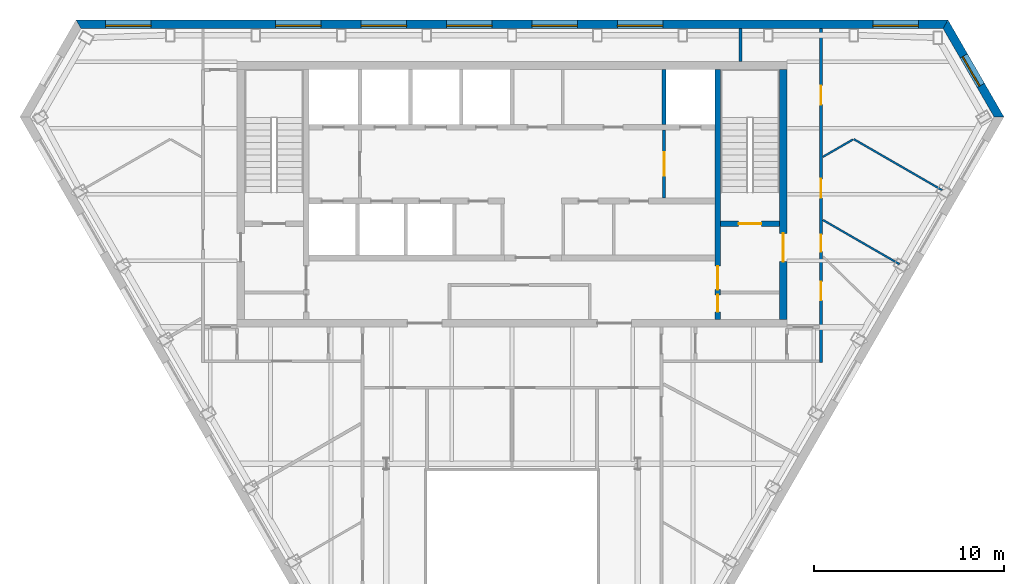
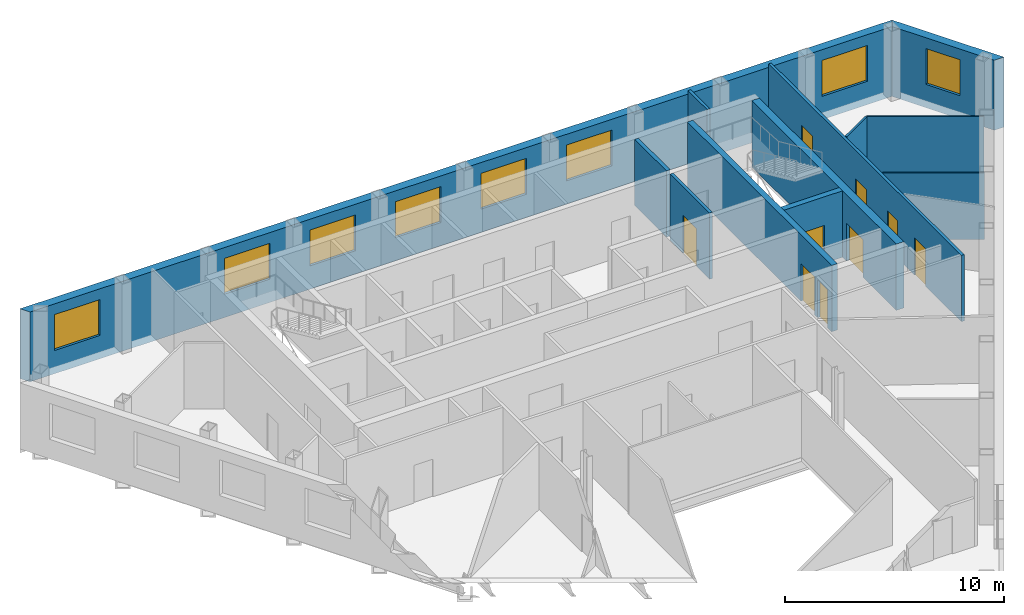
# One storey, part 7 of 10: 12 walls, 9 doors, 8 windows, 17 openings.
"""IFC4 building model written with IfcOpenShell, lengths in metres."""

from ifc_helpers import new_model, si_unit, direction, frame, frame_2d, origin, place, context, subcontext, project, spatial, polyline, rectangle, outline, extrude, material, layer, layer_set, type_object, element, fill, save


model = new_model("IFC4")

# Units and contexts
model_context = context("Model", 3, precision=1e-05, world=origin(), true_north=direction((0.0, 1.0)))
body_context = subcontext(model_context, "Body", "Model", "MODEL_VIEW")
ifc_project = project(units=[si_unit("LENGTHUNIT", "METRE"), si_unit("AREAUNIT", "SQUARE_METRE"), si_unit("VOLUMEUNIT", "CUBIC_METRE"), si_unit("PLANEANGLEUNIT", "RADIAN"), si_unit("MASSUNIT", "GRAM", prefix="KILO")], contexts=[model_context])

# Site, building, storey
site_placement = place(None, origin())
site = spatial("IfcSite", under=ifc_project, at=site_placement, CompositionType="ELEMENT")
building_placement = place(site_placement, origin())
building = spatial("IfcBuilding", under=site, at=building_placement, Name="Njiva Tower", CompositionType="ELEMENT")
storey_placement = place(building_placement, frame((0.0, 0.0, 257.1)))
storey = spatial("IfcBuildingStorey", under=building, at=storey_placement, Name="L58", CompositionType="ELEMENT", Elevation=257.1)

# Wall, openings, doors
ifc_material_1 = material(Name="Concrete C40/50", Category="concrete")
ifc_layer_1 = layer(ifc_material_1, 0.3)
ifc_layer_set_1 = layer_set([ifc_layer_1], Name="Concrete C40/50")
wall_type_1 = type_object("IfcWallType", Name="WT10 Stair enclosure wall 300", PredefinedType="SHEAR", material=ifc_layer_set_1)
wall_1_placement = place(storey_placement, frame((10.85, 4.4, 0.0), z_axis=(0.0, 0.0, 1.0), x_axis=(0.0, 1.0, 0.0)))
wall_1 = element("IfcWall", 1, at=wall_1_placement, inside=storey, type_object=wall_type_1, Name="Stair wall east inner", PredefinedType="SHEAR", context=body_context, shape_type="SweptSolid", body=[
    extrude(rectangle(XDim=13.2, YDim=0.3, at=frame_2d((6.6, 0.0))), origin(), (0.0, 0.0, 1.0), 3.7),
])
opening_1_placement = place(wall_1_placement, frame((1.575, 0.0, 0.0)))
opening_1 = element("IfcOpeningElement", 2, at=opening_1_placement, cuts=wall_1, Name="Opening S19-D921", PredefinedType="OPENING", context=body_context, shape_type="SweptSolid", body=[
    extrude(rectangle(XDim=1.25, YDim=2.1, at=frame_2d((0.625, 1.05))), frame((0.0, 0.16, 0.0), z_axis=(0.0, -1.0, 0.0), x_axis=(1.0, 0.0, 0.0)), (0.0, 0.0, 1.0), 0.32),
])
opening_2_placement = place(wall_1_placement, frame((0.4, 0.0, 0.0)))
opening_2 = element("IfcOpeningElement", 3, at=opening_2_placement, cuts=wall_1, Name="Opening S19-D923", PredefinedType="OPENING", context=body_context, shape_type="SweptSolid", body=[
    extrude(rectangle(XDim=0.9, YDim=2.1, at=frame_2d((0.45, 1.05))), frame((0.0, 0.16, 0.0), z_axis=(0.0, -1.0, 0.0), x_axis=(1.0, 0.0, 0.0)), (0.0, 0.0, 1.0), 0.32),
])
ifc_material_2 = material(Name="Steel door, painted", Category="steel")
door_type_1 = type_object("IfcDoorType", Name="D13 Steel door 900x2100", OperationType="SINGLE_SWING_LEFT", PredefinedType="DOOR", material=ifc_material_2)
door_1_placement = place(opening_2_placement, origin())
door_1 = element("IfcDoor", 4, at=door_1_placement, inside=storey, type_object=door_type_1, Name="Business centre door", OperationType="SINGLE_SWING_LEFT", OverallHeight=2.1, OverallWidth=0.9, PredefinedType="DOOR", context=body_context, shape_type="SweptSolid", body=[
    extrude(rectangle(XDim=0.9, YDim=2.1, at=frame_2d((0.45, 1.05))), frame((0.0, 0.025, 0.0), z_axis=(0.0, -1.0, 0.0), x_axis=(1.0, 0.0, 0.0)), (0.0, 0.0, 1.0), 0.05),
])
fill(opening_2, door_1)
ifc_material_3 = material(Name="Glazed steel fire door", Category="steel")
door_type_2 = type_object("IfcDoorType", Name="D8 Vestibule corridor door 1250x2100 glazed", OperationType="SINGLE_SWING_LEFT", PredefinedType="DOOR", material=ifc_material_3)
door_2_placement = place(opening_1_placement, origin())
door_2 = element("IfcDoor", 5, at=door_2_placement, inside=storey, type_object=door_type_2, Name="Stair vestibule corridor door", OperationType="SINGLE_SWING_RIGHT", OverallHeight=2.1, OverallWidth=1.25, PredefinedType="DOOR", context=body_context, shape_type="SweptSolid", body=[
    extrude(rectangle(XDim=1.25, YDim=2.1, at=frame_2d((0.625, 1.05))), frame((0.0, 0.025, 0.0), z_axis=(0.0, -1.0, 0.0), x_axis=(1.0, 0.0, 0.0)), (0.0, 0.0, 1.0), 0.05),
])
fill(opening_1, door_2)

# Wall, opening, door
wall_2_placement = place(storey_placement, frame((11.0, 9.45, 0.0), z_axis=(0.0, 0.0, 1.0), x_axis=(1.0, 0.0, 0.0)))
wall_2 = element("IfcWall", 6, at=wall_2_placement, inside=storey, type_object=wall_type_1, Name="Stair B south wall", PredefinedType="SHEAR", context=body_context, shape_type="SweptSolid", body=[
    extrude(rectangle(XDim=3.1, YDim=0.3, at=frame_2d((1.55, 0.0))), origin(), (0.0, 0.0, 1.0), 3.7),
])
opening_3_placement = place(wall_2_placement, frame((0.95, 0.0, 0.0)))
opening_3 = element("IfcOpeningElement", 7, at=opening_3_placement, cuts=wall_2, Name="Opening S19-D920", PredefinedType="OPENING", context=body_context, shape_type="SweptSolid", body=[
    extrude(rectangle(XDim=1.2, YDim=2.1, at=frame_2d((0.6, 1.05))), frame((0.0, 0.16, 0.0), z_axis=(0.0, -1.0, 0.0), x_axis=(1.0, 0.0, 0.0)), (0.0, 0.0, 1.0), 0.32),
])
door_type_3 = type_object("IfcDoorType", Name="D7 Stair vestibule door 1200x2100 glazed", OperationType="SINGLE_SWING_LEFT", PredefinedType="DOOR", material=ifc_material_3)
door_3_placement = place(opening_3_placement, origin())
door_3 = element("IfcDoor", 8, at=door_3_placement, inside=storey, type_object=door_type_3, Name="Stair B door", OperationType="SINGLE_SWING_LEFT", OverallHeight=2.1, OverallWidth=1.2, PredefinedType="DOOR", context=body_context, shape_type="SweptSolid", body=[
    extrude(rectangle(XDim=1.2, YDim=2.1, at=frame_2d((0.6, 1.05))), frame((0.0, 0.025, 0.0), z_axis=(0.0, -1.0, 0.0), x_axis=(1.0, 0.0, 0.0)), (0.0, 0.0, 1.0), 0.05),
])
fill(opening_3, door_3)

ifc_material_4 = material(Name="Concrete C60/75", Category="concrete")
ifc_layer_2 = layer(ifc_material_4, 0.4)
ifc_layer_set_2 = layer_set([ifc_layer_2], Name="Concrete C60/75")
wall_type_2 = type_object("IfcWallType", Name="WT11 Core wall 400", PredefinedType="SHEAR", material=ifc_layer_set_2)
wall_3_placement = place(storey_placement, frame((14.3, 4.4, 0.0), z_axis=(0.0, 0.0, 1.0), x_axis=(0.0, 1.0, 0.0)))
wall_3 = element("IfcWall", 9, at=wall_3_placement, inside=storey, type_object=wall_type_2, Name="Core wall east", PredefinedType="SHEAR", context=body_context, shape_type="SweptSolid", body=[
    extrude(rectangle(XDim=13.2, YDim=0.4, at=frame_2d((6.6, 0.0))), origin(), (0.0, 0.0, 1.0), 3.7),
])
opening_4_placement = place(wall_3_placement, frame((3.05, 0.0, 0.0)))
opening_4 = element("IfcOpeningElement", 10, at=opening_4_placement, cuts=wall_3, Name="Opening S19-D922", PredefinedType="OPENING", context=body_context, shape_type="SweptSolid", body=[
    extrude(rectangle(XDim=1.5, YDim=2.1, at=frame_2d((0.75, 1.05))), frame((0.0, 0.21, 0.0), z_axis=(0.0, -1.0, 0.0), x_axis=(1.0, 0.0, 0.0)), (0.0, 0.0, 1.0), 0.42),
])
door_type_4 = type_object("IfcDoorType", Name="D10 Exit door double 1500x2100 glazed", OperationType="DOUBLE_DOOR_SINGLE_SWING", PredefinedType="DOOR", material=ifc_material_3)
door_4_placement = place(opening_4_placement, origin())
door_4 = element("IfcDoor", 11, at=door_4_placement, inside=storey, type_object=door_type_4, Name="Stair B corridor door", OperationType="DOUBLE_DOOR_SINGLE_SWING", OverallHeight=2.1, OverallWidth=1.5, PredefinedType="DOOR", context=body_context, shape_type="SweptSolid", body=[
    extrude(rectangle(XDim=1.5, YDim=2.1, at=frame_2d((0.75, 1.05))), frame((0.0, 0.025, 0.0), z_axis=(0.0, -1.0, 0.0), x_axis=(1.0, 0.0, 0.0)), (0.0, 0.0, 1.0), 0.05),
])
fill(opening_4, door_4)

ifc_material_5 = material(Name="Blockwork", Category="masonry")
ifc_layer_3 = layer(ifc_material_5, 0.15)
ifc_layer_set_3 = layer_set([ifc_layer_3], Name="Blockwork")
wall_type_3 = type_object("IfcWallType", Name="WT2 Lobby partition 150", PredefinedType="PARTITIONING", material=ifc_layer_set_3)
wall_4_placement = place(storey_placement, frame((8.025, 10.8, 0.0), z_axis=(0.0, 0.0, 1.0), x_axis=(0.0, 1.0, 0.0)))
wall_4 = element("IfcWall", 12, at=wall_4_placement, inside=storey, type_object=wall_type_3, Name="Firefighting lobby wall B", PredefinedType="PARTITIONING", context=body_context, shape_type="SweptSolid", body=[
    extrude(rectangle(XDim=3.6, YDim=0.15, at=frame_2d((1.8, 0.0))), origin(), (0.0, 0.0, 1.0), 3.7),
])
opening_5_placement = place(wall_4_placement, frame((1.175, 0.0, 0.0)))
opening_5 = element("IfcOpeningElement", 13, at=opening_5_placement, cuts=wall_4, Name="Opening S19-D919", PredefinedType="OPENING", context=body_context, shape_type="SweptSolid", body=[
    extrude(rectangle(XDim=1.25, YDim=2.1, at=frame_2d((0.625, 1.05))), frame((0.0, 0.085, 0.0), z_axis=(0.0, -1.0, 0.0), x_axis=(1.0, 0.0, 0.0)), (0.0, 0.0, 1.0), 0.17),
])
door_5_placement = place(opening_5_placement, origin())
door_5 = element("IfcDoor", 14, at=door_5_placement, inside=storey, type_object=door_type_2, Name="Stair vestibule corridor door", OperationType="SINGLE_SWING_LEFT", OverallHeight=2.1, OverallWidth=1.25, PredefinedType="DOOR", context=body_context, shape_type="SweptSolid", body=[
    extrude(rectangle(XDim=1.25, YDim=2.1, at=frame_2d((0.625, 1.05))), frame((0.0, 0.025, 0.0), z_axis=(0.0, -1.0, 0.0), x_axis=(1.0, 0.0, 0.0)), (0.0, 0.0, 1.0), 0.05),
])
fill(opening_5, door_5)

# Walls
ifc_material_6 = material(Name="Gypsum board on steel studs", Category="gypsum")
ifc_layer_4 = layer(ifc_material_6, 0.1)
ifc_layer_set_4 = layer_set([ifc_layer_4], Name="Gypsum board on steel studs")
wall_type_4 = type_object("IfcWallType", Name="WT20 Gypsum partition 100", PredefinedType="PARTITIONING", material=ifc_layer_set_4)
wall_5_placement = place(storey_placement, frame((16.4, 12.982, 0.0), z_axis=(0.0, 0.0, 1.0), x_axis=(0.866221908719, 0.499659488908, 0.0)))
element("IfcWall", 15, at=wall_5_placement, inside=storey, type_object=wall_type_4, Name="Partition S19-P031", PredefinedType="PARTITIONING", context=body_context, shape_type="SweptSolid", body=[
    extrude(rectangle(XDim=1.8332, YDim=0.1, at=frame_2d((0.9166, 0.0))), origin(), (0.0, 0.0, 1.0), 3.7),
])
wall_6_placement = place(storey_placement, frame((16.4, 9.654, 0.0), z_axis=(0.0, 0.0, 1.0), x_axis=(0.86606758311, -0.499926936147, 0.0)))
element("IfcWall", 16, at=wall_6_placement, inside=storey, type_object=wall_type_4, Name="Partition S19-P032", PredefinedType="PARTITIONING", context=body_context, shape_type="SweptSolid", body=[
    extrude(rectangle(XDim=4.6567, YDim=0.1, at=frame_2d((2.3284, 0.0))), origin(), (0.0, 0.0, 1.0), 3.7),
])
wall_7_placement = place(storey_placement, frame((18.026, 13.919, 0.0), z_axis=(0.0, 0.0, 1.0), x_axis=(0.866061796884, -0.499936960004, 0.0)))
element("IfcWall", 17, at=wall_7_placement, inside=storey, type_object=wall_type_4, Name="Partition S19-P034", PredefinedType="PARTITIONING", context=body_context, shape_type="SweptSolid", body=[
    extrude(rectangle(XDim=5.3807, YDim=0.1, at=frame_2d((2.6904, 0.0))), origin(), (0.0, 0.0, 1.0), 3.7),
])
ifc_layer_5 = layer(ifc_material_6, 0.15)
ifc_layer_set_5 = layer_set([ifc_layer_5], Name="Gypsum board on steel studs")
wall_type_5 = type_object("IfcWallType", Name="WT21 Compartment wall 150", PredefinedType="PARTITIONING", material=ifc_layer_set_5)
wall_8_placement = place(storey_placement, frame((12.05, 18.0, 0.0), z_axis=(0.0, 0.0, 1.0), x_axis=(0.0, 1.0, 0.0)))
element("IfcWall", 18, at=wall_8_placement, inside=storey, type_object=wall_type_5, Name="Partition S19-P027", PredefinedType="PARTITIONING", context=body_context, shape_type="SweptSolid", body=[
    extrude(rectangle(XDim=1.75, YDim=0.15, at=frame_2d((0.875, 0.0))), origin(), (0.0, 0.0, 1.0), 3.7),
])

# Wall, openings, doors
wall_9_placement = place(storey_placement, frame((16.3, 2.125, 0.0), z_axis=(0.0, 0.0, 1.0), x_axis=(0.0, 1.0, 0.0)))
wall_9 = element("IfcWall", 19, at=wall_9_placement, inside=storey, type_object=wall_type_5, Name="Partition S19-P030", PredefinedType="PARTITIONING", context=body_context, shape_type="SweptSolid", body=[
    extrude(rectangle(XDim=17.622, YDim=0.15, at=frame_2d((8.811, 0.0))), origin(), (0.0, 0.0, 1.0), 3.7),
])
opening_6_placement = place(wall_9_placement, frame((3.281, 0.0, 0.0)))
opening_6 = element("IfcOpeningElement", 20, at=opening_6_placement, cuts=wall_9, Name="Opening S19-D022", PredefinedType="OPENING", context=body_context, shape_type="SweptSolid", body=[
    extrude(rectangle(XDim=1.0, YDim=2.1, at=frame_2d((0.5, 1.05))), frame((0.0, 0.085, 0.0), z_axis=(0.0, -1.0, 0.0), x_axis=(1.0, 0.0, 0.0)), (0.0, 0.0, 1.0), 0.17),
])
opening_7_placement = place(wall_9_placement, frame((5.853, 0.0, 0.0)))
opening_7 = element("IfcOpeningElement", 21, at=opening_7_placement, cuts=wall_9, Name="Opening S19-D023", PredefinedType="OPENING", context=body_context, shape_type="SweptSolid", body=[
    extrude(rectangle(XDim=0.9, YDim=2.1, at=frame_2d((0.45, 1.05))), frame((0.0, 0.085, 0.0), z_axis=(0.0, -1.0, 0.0), x_axis=(1.0, 0.0, 0.0)), (0.0, 0.0, 1.0), 0.17),
])
opening_8_placement = place(wall_9_placement, frame((8.692, 0.0, 0.0)))
opening_8 = element("IfcOpeningElement", 22, at=opening_8_placement, cuts=wall_9, Name="Opening S19-D024", PredefinedType="OPENING", context=body_context, shape_type="SweptSolid", body=[
    extrude(rectangle(XDim=1.0, YDim=2.1, at=frame_2d((0.5, 1.05))), frame((0.0, 0.085, 0.0), z_axis=(0.0, -1.0, 0.0), x_axis=(1.0, 0.0, 0.0)), (0.0, 0.0, 1.0), 0.17),
])
opening_9_placement = place(wall_9_placement, frame((13.611, 0.0, 0.0)))
opening_9 = element("IfcOpeningElement", 23, at=opening_9_placement, cuts=wall_9, Name="Opening S19-D025", PredefinedType="OPENING", context=body_context, shape_type="SweptSolid", body=[
    extrude(rectangle(XDim=1.0, YDim=2.1, at=frame_2d((0.5, 1.05))), frame((0.0, 0.085, 0.0), z_axis=(0.0, -1.0, 0.0), x_axis=(1.0, 0.0, 0.0)), (0.0, 0.0, 1.0), 0.17),
])
ifc_material_7 = material(Name="Steel fire door set", Category="steel")
door_type_5 = type_object("IfcDoorType", Name="D36 Fire door 900x2100", OperationType="SINGLE_SWING_LEFT", PredefinedType="DOOR", material=ifc_material_7)
door_6_placement = place(opening_7_placement, origin())
door_6 = element("IfcDoor", 24, at=door_6_placement, inside=storey, type_object=door_type_5, Name="Door S19-D023", OperationType="SINGLE_SWING_LEFT", OverallHeight=2.1, OverallWidth=0.9, PredefinedType="DOOR", context=body_context, shape_type="SweptSolid", body=[
    extrude(rectangle(XDim=0.9, YDim=2.1, at=frame_2d((0.45, 1.05))), frame((0.0, 0.025, 0.0), z_axis=(0.0, -1.0, 0.0), x_axis=(1.0, 0.0, 0.0)), (0.0, 0.0, 1.0), 0.05),
])
fill(opening_7, door_6)
door_type_6 = type_object("IfcDoorType", Name="D37 Fire door 1000x2100", OperationType="SINGLE_SWING_LEFT", PredefinedType="DOOR", material=ifc_material_7)
door_7_placement = place(opening_6_placement, origin())
door_7 = element("IfcDoor", 25, at=door_7_placement, inside=storey, type_object=door_type_6, Name="Door S19-D022", OperationType="SINGLE_SWING_LEFT", OverallHeight=2.1, OverallWidth=1.0, PredefinedType="DOOR", context=body_context, shape_type="SweptSolid", body=[
    extrude(rectangle(XDim=1.0, YDim=2.1, at=frame_2d((0.5, 1.05))), frame((0.0, 0.025, 0.0), z_axis=(0.0, -1.0, 0.0), x_axis=(1.0, 0.0, 0.0)), (0.0, 0.0, 1.0), 0.05),
])
fill(opening_6, door_7)
door_8_placement = place(opening_8_placement, origin())
door_8 = element("IfcDoor", 26, at=door_8_placement, inside=storey, type_object=door_type_6, Name="Door S19-D024", OperationType="SINGLE_SWING_RIGHT", OverallHeight=2.1, OverallWidth=1.0, PredefinedType="DOOR", context=body_context, shape_type="SweptSolid", body=[
    extrude(rectangle(XDim=1.0, YDim=2.1, at=frame_2d((0.5, 1.05))), frame((0.0, 0.025, 0.0), z_axis=(0.0, -1.0, 0.0), x_axis=(1.0, 0.0, 0.0)), (0.0, 0.0, 1.0), 0.05),
])
fill(opening_8, door_8)
door_9_placement = place(opening_9_placement, origin())
door_9 = element("IfcDoor", 27, at=door_9_placement, inside=storey, type_object=door_type_6, Name="Door S19-D025", OperationType="SINGLE_SWING_RIGHT", OverallHeight=2.1, OverallWidth=1.0, PredefinedType="DOOR", context=body_context, shape_type="SweptSolid", body=[
    extrude(rectangle(XDim=1.0, YDim=2.1, at=frame_2d((0.5, 1.05))), frame((0.0, 0.025, 0.0), z_axis=(0.0, -1.0, 0.0), x_axis=(1.0, 0.0, 0.0)), (0.0, 0.0, 1.0), 0.05),
])
fill(opening_9, door_9)

# Wall
ifc_layer_6 = layer(ifc_material_1, 0.2)
ifc_layer_set_6 = layer_set([ifc_layer_6], Name="Concrete C40/50")
wall_type_6 = type_object("IfcWallType", Name="WT6 Lift shaft wall 200", PredefinedType="SHEAR", material=ifc_layer_set_6)
wall_10_placement = place(storey_placement, frame((8.025, 14.7, 0.0), z_axis=(0.0, 0.0, 1.0), x_axis=(0.0, 1.0, 0.0)))
element("IfcWall", 28, at=wall_10_placement, inside=storey, type_object=wall_type_6, Name="Shaft wall CN7", PredefinedType="SHEAR", context=body_context, shape_type="SweptSolid", body=[
    extrude(rectangle(XDim=2.9, YDim=0.2, at=frame_2d((1.45, 0.0))), origin(), (0.0, 0.0, 1.0), 3.7),
])

# Wall, openings, windows
ifc_material_8 = material(Name="Brick masonry", Category="masonry")
ifc_layer_7 = layer(ifc_material_8, 0.45)
ifc_layer_set_7 = layer_set([ifc_layer_7], Name="Brick masonry")
wall_type_7 = type_object("IfcWallType", Name="WT90 Brick pier and spandrel wall 450", PredefinedType="SOLIDWALL", material=ifc_layer_set_7)
wall_11_placement = place(storey_placement, frame((22.8651, 19.975, -0.4), z_axis=(0.0, 0.0, 1.0), x_axis=(-1.0, 0.0, 0.0)))
wall_11 = element("IfcWall", 29, at=wall_11_placement, inside=storey, type_object=wall_type_7, Name="Facade wall N", PredefinedType="SOLIDWALL", context=body_context, shape_type="SweptSolid", body=[
    extrude(outline(polyline([(-0.1299, -0.225), (45.8601, -0.225), (45.6003, 0.225), (0.1299, 0.225), (-0.1299, -0.225)])), origin(), (0.0, 0.0, 1.0), 3.9),
])
opening_10_placement = place(wall_11_placement, frame((1.4237, 0.0, 1.3)))
opening_10 = element("IfcOpeningElement", 30, at=opening_10_placement, cuts=wall_11, Name="Opening S19-W01", PredefinedType="OPENING", context=body_context, shape_type="SweptSolid", body=[
    extrude(rectangle(XDim=2.4, YDim=2.0, at=frame_2d((1.2, 1.0))), frame((0.0, 0.235, 0.0), z_axis=(0.0, -1.0, 0.0), x_axis=(1.0, 0.0, 0.0)), (0.0, 0.0, 1.0), 0.47),
])
opening_11_placement = place(wall_11_placement, frame((14.9052, 0.0, 1.3)))
opening_11 = element("IfcOpeningElement", 31, at=opening_11_placement, cuts=wall_11, Name="Opening S19-W02", PredefinedType="OPENING", context=body_context, shape_type="SweptSolid", body=[
    extrude(rectangle(XDim=2.4, YDim=2.0, at=frame_2d((1.2, 1.0))), frame((0.0, 0.235, 0.0), z_axis=(0.0, -1.0, 0.0), x_axis=(1.0, 0.0, 0.0)), (0.0, 0.0, 1.0), 0.47),
])
opening_12_placement = place(wall_11_placement, frame((19.4118, 0.0, 1.3)))
opening_12 = element("IfcOpeningElement", 32, at=opening_12_placement, cuts=wall_11, Name="Opening S19-W03", PredefinedType="OPENING", context=body_context, shape_type="SweptSolid", body=[
    extrude(rectangle(XDim=2.4, YDim=2.0, at=frame_2d((1.2, 1.0))), frame((0.0, 0.235, 0.0), z_axis=(0.0, -1.0, 0.0), x_axis=(1.0, 0.0, 0.0)), (0.0, 0.0, 1.0), 0.47),
])
opening_13_placement = place(wall_11_placement, frame((23.9184, 0.0, 1.3)))
opening_13 = element("IfcOpeningElement", 33, at=opening_13_placement, cuts=wall_11, Name="Opening S19-W04", PredefinedType="OPENING", context=body_context, shape_type="SweptSolid", body=[
    extrude(rectangle(XDim=2.4, YDim=2.0, at=frame_2d((1.2, 1.0))), frame((0.0, 0.235, 0.0), z_axis=(0.0, -1.0, 0.0), x_axis=(1.0, 0.0, 0.0)), (0.0, 0.0, 1.0), 0.47),
])
opening_14_placement = place(wall_11_placement, frame((28.425, 0.0, 1.3)))
opening_14 = element("IfcOpeningElement", 34, at=opening_14_placement, cuts=wall_11, Name="Opening S19-W05", PredefinedType="OPENING", context=body_context, shape_type="SweptSolid", body=[
    extrude(rectangle(XDim=2.4, YDim=2.0, at=frame_2d((1.2, 1.0))), frame((0.0, 0.235, 0.0), z_axis=(0.0, -1.0, 0.0), x_axis=(1.0, 0.0, 0.0)), (0.0, 0.0, 1.0), 0.47),
])
opening_15_placement = place(wall_11_placement, frame((32.9316, 0.0, 1.3)))
opening_15 = element("IfcOpeningElement", 35, at=opening_15_placement, cuts=wall_11, Name="Opening S19-W06", PredefinedType="OPENING", context=body_context, shape_type="SweptSolid", body=[
    extrude(rectangle(XDim=2.4, YDim=2.0, at=frame_2d((1.2, 1.0))), frame((0.0, 0.235, 0.0), z_axis=(0.0, -1.0, 0.0), x_axis=(1.0, 0.0, 0.0)), (0.0, 0.0, 1.0), 0.47),
])
opening_16_placement = place(wall_11_placement, frame((41.9065, 0.0, 1.3)))
opening_16 = element("IfcOpeningElement", 36, at=opening_16_placement, cuts=wall_11, Name="Opening S19-W07", PredefinedType="OPENING", context=body_context, shape_type="SweptSolid", body=[
    extrude(rectangle(XDim=2.4, YDim=2.0, at=frame_2d((1.2, 1.0))), frame((0.0, 0.235, 0.0), z_axis=(0.0, -1.0, 0.0), x_axis=(1.0, 0.0, 0.0)), (0.0, 0.0, 1.0), 0.47),
])
ifc_material_9 = material(Name="Clear glazing in aluminium frame", Category="aluminium")
window_type_1 = type_object("IfcWindowType", Name="W90 Deep-set window 2400x2000", PartitioningType="SINGLE_PANEL", PredefinedType="WINDOW", material=ifc_material_9)
window_1_placement = place(opening_10_placement, origin())
window_1 = element("IfcWindow", 37, at=window_1_placement, inside=storey, type_object=window_type_1, Name="Window", OverallHeight=2.0, OverallWidth=2.4, PartitioningType="SINGLE_PANEL", PredefinedType="WINDOW", context=body_context, shape_type="SweptSolid", body=[
    extrude(rectangle(XDim=2.4, YDim=2.0, at=frame_2d((1.2, 1.0))), frame((0.0, 0.105, 0.0), z_axis=(0.0, -1.0, 0.0), x_axis=(1.0, 0.0, 0.0)), (0.0, 0.0, 1.0), 0.06),
])
fill(opening_10, window_1)
window_2_placement = place(opening_11_placement, origin())
window_2 = element("IfcWindow", 38, at=window_2_placement, inside=storey, type_object=window_type_1, Name="Window", OverallHeight=2.0, OverallWidth=2.4, PartitioningType="SINGLE_PANEL", PredefinedType="WINDOW", context=body_context, shape_type="SweptSolid", body=[
    extrude(rectangle(XDim=2.4, YDim=2.0, at=frame_2d((1.2, 1.0))), frame((0.0, 0.105, 0.0), z_axis=(0.0, -1.0, 0.0), x_axis=(1.0, 0.0, 0.0)), (0.0, 0.0, 1.0), 0.06),
])
fill(opening_11, window_2)
window_3_placement = place(opening_12_placement, origin())
window_3 = element("IfcWindow", 39, at=window_3_placement, inside=storey, type_object=window_type_1, Name="Window", OverallHeight=2.0, OverallWidth=2.4, PartitioningType="SINGLE_PANEL", PredefinedType="WINDOW", context=body_context, shape_type="SweptSolid", body=[
    extrude(rectangle(XDim=2.4, YDim=2.0, at=frame_2d((1.2, 1.0))), frame((0.0, 0.105, 0.0), z_axis=(0.0, -1.0, 0.0), x_axis=(1.0, 0.0, 0.0)), (0.0, 0.0, 1.0), 0.06),
])
fill(opening_12, window_3)
window_4_placement = place(opening_13_placement, origin())
window_4 = element("IfcWindow", 40, at=window_4_placement, inside=storey, type_object=window_type_1, Name="Window", OverallHeight=2.0, OverallWidth=2.4, PartitioningType="SINGLE_PANEL", PredefinedType="WINDOW", context=body_context, shape_type="SweptSolid", body=[
    extrude(rectangle(XDim=2.4, YDim=2.0, at=frame_2d((1.2, 1.0))), frame((0.0, 0.105, 0.0), z_axis=(0.0, -1.0, 0.0), x_axis=(1.0, 0.0, 0.0)), (0.0, 0.0, 1.0), 0.06),
])
fill(opening_13, window_4)
window_5_placement = place(opening_14_placement, origin())
window_5 = element("IfcWindow", 41, at=window_5_placement, inside=storey, type_object=window_type_1, Name="Window", OverallHeight=2.0, OverallWidth=2.4, PartitioningType="SINGLE_PANEL", PredefinedType="WINDOW", context=body_context, shape_type="SweptSolid", body=[
    extrude(rectangle(XDim=2.4, YDim=2.0, at=frame_2d((1.2, 1.0))), frame((0.0, 0.105, 0.0), z_axis=(0.0, -1.0, 0.0), x_axis=(1.0, 0.0, 0.0)), (0.0, 0.0, 1.0), 0.06),
])
fill(opening_14, window_5)
window_6_placement = place(opening_15_placement, origin())
window_6 = element("IfcWindow", 42, at=window_6_placement, inside=storey, type_object=window_type_1, Name="Window", OverallHeight=2.0, OverallWidth=2.4, PartitioningType="SINGLE_PANEL", PredefinedType="WINDOW", context=body_context, shape_type="SweptSolid", body=[
    extrude(rectangle(XDim=2.4, YDim=2.0, at=frame_2d((1.2, 1.0))), frame((0.0, 0.105, 0.0), z_axis=(0.0, -1.0, 0.0), x_axis=(1.0, 0.0, 0.0)), (0.0, 0.0, 1.0), 0.06),
])
fill(opening_15, window_6)
window_7_placement = place(opening_16_placement, origin())
window_7 = element("IfcWindow", 43, at=window_7_placement, inside=storey, type_object=window_type_1, Name="Window", OverallHeight=2.0, OverallWidth=2.4, PartitioningType="SINGLE_PANEL", PredefinedType="WINDOW", context=body_context, shape_type="SweptSolid", body=[
    extrude(rectangle(XDim=2.4, YDim=2.0, at=frame_2d((1.2, 1.0))), frame((0.0, 0.105, 0.0), z_axis=(0.0, -1.0, 0.0), x_axis=(1.0, 0.0, 0.0)), (0.0, 0.0, 1.0), 0.06),
])
fill(opening_16, window_7)

# Wall, opening, window
ifc_material_10 = material(Name="Brick masonry, buff", Category="masonry")
ifc_layer_8 = layer(ifc_material_10, 0.45)
ifc_layer_set_8 = layer_set([ifc_layer_8], Name="Brick masonry, buff")
wall_type_8 = type_object("IfcWallType", Name="WT94 Brick pier and spandrel wall 450, buff", PredefinedType="SOLIDWALL", material=ifc_layer_set_8)
wall_12_placement = place(storey_placement, frame((25.6939, 15.084, -0.4), z_axis=(0.0, 0.0, 1.0), x_axis=(-0.50000128263, 0.866024663256, 0.0)))
wall_12 = element("IfcWall", 44, at=wall_12_placement, inside=storey, type_object=wall_type_8, Name="Facade wall NE", PredefinedType="SOLIDWALL", context=body_context, shape_type="SweptSolid", body=[
    extrude(outline(polyline([(-0.1299, -0.225), (5.7801, -0.225), (5.5203, 0.225), (0.1299, 0.225), (-0.1299, -0.225)])), origin(), (0.0, 0.0, 1.0), 3.9),
])
opening_17_placement = place(wall_12_placement, frame((1.9251, 0.0, 1.3)))
opening_17 = element("IfcOpeningElement", 45, at=opening_17_placement, cuts=wall_12, Name="Opening S19-W28", PredefinedType="OPENING", context=body_context, shape_type="SweptSolid", body=[
    extrude(rectangle(XDim=1.8, YDim=2.0, at=frame_2d((0.9, 1.0))), frame((0.0, 0.235, 0.0), z_axis=(0.0, -1.0, 0.0), x_axis=(1.0, 0.0, 0.0)), (0.0, 0.0, 1.0), 0.47),
])
window_type_2 = type_object("IfcWindowType", Name="W94 Deep-set window 1800x2000", PartitioningType="SINGLE_PANEL", PredefinedType="WINDOW", material=ifc_material_9)
window_8_placement = place(opening_17_placement, origin())
window_8 = element("IfcWindow", 46, at=window_8_placement, inside=storey, type_object=window_type_2, Name="Window", OverallHeight=2.0, OverallWidth=1.8, PartitioningType="SINGLE_PANEL", PredefinedType="WINDOW", context=body_context, shape_type="SweptSolid", body=[
    extrude(rectangle(XDim=1.8, YDim=2.0, at=frame_2d((0.9, 1.0))), frame((0.0, 0.105, 0.0), z_axis=(0.0, -1.0, 0.0), x_axis=(1.0, 0.0, 0.0)), (0.0, 0.0, 1.0), 0.06),
])
fill(opening_17, window_8)

save(model, "model.ifc")
